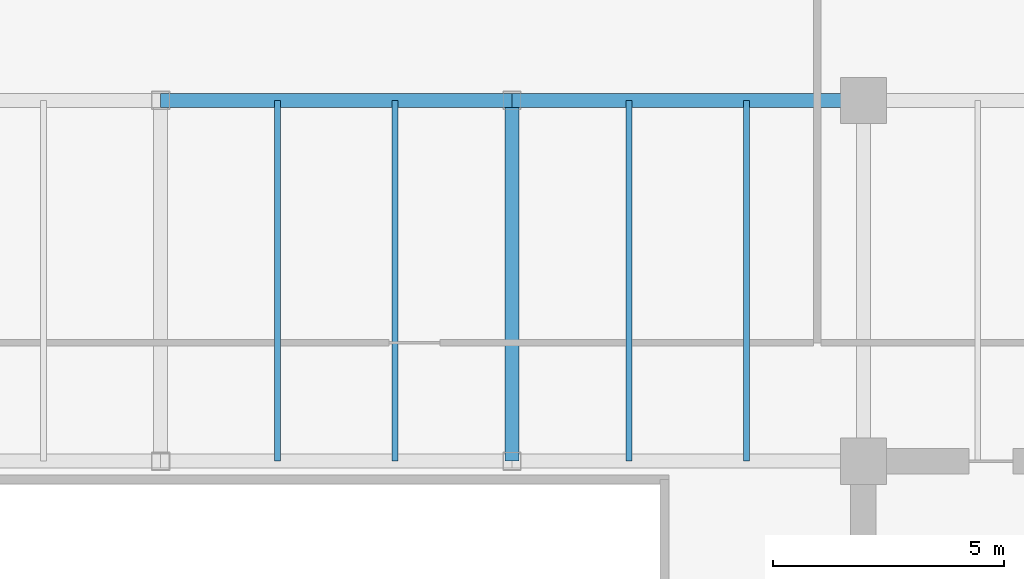
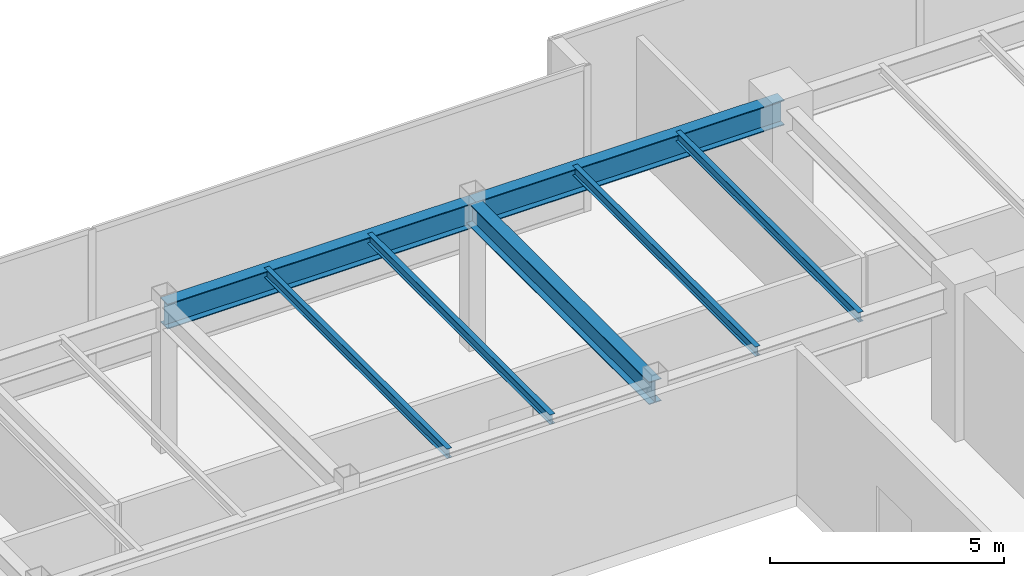
# One storey, part 18 of 33: 7 beams.
"""IFC4 building model written with IfcOpenShell, lengths in metres."""

from ifc_helpers import new_model, si_unit, direction, frame, origin, origin_2d, place, context, subcontext, project, spatial, i_section, extrude, source, transform, mapped, material, material_profile, profile_set, type_object, type_shapes, element, save


model = new_model("IFC4")

# Units and contexts
model_context = context("Model", 3, precision=1e-05, world=origin(), true_north=direction((0.0, 1.0)))
body_context = subcontext(model_context, "Body", "Model", "MODEL_VIEW")
ifc_project = project(units=[si_unit("LENGTHUNIT", "METRE"), si_unit("AREAUNIT", "SQUARE_METRE"), si_unit("VOLUMEUNIT", "CUBIC_METRE"), si_unit("PLANEANGLEUNIT", "RADIAN"), si_unit("MASSUNIT", "GRAM", prefix="KILO")], contexts=[model_context])

# Site, building, storey
site_placement = place(None, origin())
site = spatial("IfcSite", under=ifc_project, at=site_placement, CompositionType="ELEMENT")
building_placement = place(site_placement, origin())
building = spatial("IfcBuilding", under=site, at=building_placement, Name="Haelvirn Gate Laboratories", CompositionType="ELEMENT")
storey_placement = place(building_placement, frame((0.0, 0.0, 250.60009765625)))
storey = spatial("IfcBuildingStorey", under=building, at=storey_placement, Name="L60", CompositionType="ELEMENT", Elevation=250.60009765625)

# Beams
ifc_material = material(Name="Steel SM355", Category="steel")
ifc_material_profile_1 = material_profile(ifc_material, i_section(OverallWidth=0.300048828125, OverallDepth=0.587890625, WebThickness=0.011962890625, FlangeThickness=0.02001953125, at=origin_2d()), Name="H-588x300x12x20")
ifc_profile_set_1 = profile_set([ifc_material_profile_1], Name="Steel SM355")
beam_type_1 = type_object("IfcBeamType", Name="BM-G-588", PredefinedType="BEAM", material=ifc_profile_set_1)
shared_shape_1 = source(origin(), body_context, "Body", "SweptSolid", [
    extrude(i_section(OverallWidth=0.300048828125, OverallDepth=0.587890625, WebThickness=0.011962890625, FlangeThickness=0.02001953125, at=origin_2d()), origin(), (0.0, 0.0, 1.0), 7.800048828125),
])
type_shapes(beam_type_1, [shared_shape_1])
beam_placement = place(storey_placement, frame((45.0, 33.800048828125, 3.505859375), z_axis=(0.0, 1.0, 0.0), x_axis=(-1.0, 0.0, 0.0)))
element("IfcBeam", 1, at=beam_placement, inside=storey, type_object=beam_type_1, Name="L60 Frame Girder X45.0 (33.8-41.6)", PredefinedType="BEAM", context=body_context, shape_type="MappedRepresentation", body=[
    mapped(shared_shape_1, transform((0.0, 0.0, 0.0), scale=1.0)),
])
ifc_material_profile_2 = material_profile(ifc_material, i_section(OverallWidth=0.300048828125, OverallDepth=0.64990234375, WebThickness=0.012939453125, FlangeThickness=0.02197265625, at=origin_2d()), Name="H-650x300x13x22")
ifc_profile_set_2 = profile_set([ifc_material_profile_2], Name="Steel SM355")
beam_type_2 = type_object("IfcBeamType", Name="BM-G-650", PredefinedType="BEAM", material=ifc_profile_set_2)
shared_shape_2 = source(origin(), body_context, "Body", "SweptSolid", [
    extrude(i_section(OverallWidth=0.300048828125, OverallDepth=0.64990234375, WebThickness=0.012939453125, FlangeThickness=0.02197265625, at=origin_2d()), origin(), (0.0, 0.0, 1.0), 7.60009765625),
])
type_shapes(beam_type_2, [shared_shape_2])
for number, where, z_axis, x_axis, name in (
    (2, (37.39990234375, 41.60009765625, 3.474853515625), (1.0, 0.0, 0.0), (0.0, 1.0, 0.0), "L60 Primary Girder Y41.6 (37.4-45.0)"),
    (3, (45.0, 41.60009765625, 3.474853515625), (1.0, 0.0, 0.0), (0.0, 1.0, 0.0), "L60 Primary Girder Y41.6 (45.0-52.6)"),
):
    element("IfcBeam", number, at=place(storey_placement, frame(where, z_axis=z_axis, x_axis=x_axis)), inside=storey, type_object=beam_type_2, Name=name, PredefinedType="BEAM", context=body_context, shape_type="MappedRepresentation", body=[
        mapped(shared_shape_2, transform((0.0, 0.0, 0.0), scale=1.0)),
    ])
ifc_material_profile_3 = material_profile(ifc_material, i_section(OverallWidth=0.125, OverallDepth=0.25, WebThickness=0.006103515625, FlangeThickness=0.009033203125, at=origin_2d()), Name="H-250x125x6x9")
ifc_profile_set_3 = profile_set([ifc_material_profile_3], Name="Steel SM355")
beam_type_3 = type_object("IfcBeamType", Name="BM-J-250", PredefinedType="JOIST", material=ifc_profile_set_3)
shared_shape_3 = source(origin(), body_context, "Body", "SweptSolid", [
    extrude(i_section(OverallWidth=0.125, OverallDepth=0.25, WebThickness=0.006103515625, FlangeThickness=0.009033203125, at=origin_2d()), origin(), (0.0, 0.0, 1.0), 7.800048828125),
])
type_shapes(beam_type_3, [shared_shape_3])
for number, where, z_axis, x_axis, name in (
    (4, (39.929931640625, 33.800048828125, 3.6748046875), (0.0, 1.0, 0.0), (-1.0, 0.0, 0.0), "L60 Composite Lab Joist North X39.93"),
    (5, (42.469970703125, 33.800048828125, 3.6748046875), (0.0, 1.0, 0.0), (-1.0, 0.0, 0.0), "L60 Composite Lab Joist North X42.47"),
    (6, (47.530029296875, 33.800048828125, 3.6748046875), (0.0, 1.0, 0.0), (-1.0, 0.0, 0.0), "L60 Composite Lab Joist North X47.53"),
    (7, (50.070068359375, 33.800048828125, 3.6748046875), (0.0, 1.0, 0.0), (-1.0, 0.0, 0.0), "L60 Composite Lab Joist North X50.07"),
):
    element("IfcBeam", number, at=place(storey_placement, frame(where, z_axis=z_axis, x_axis=x_axis)), inside=storey, type_object=beam_type_3, Name=name, PredefinedType="JOIST", context=body_context, shape_type="MappedRepresentation", body=[
        mapped(shared_shape_3, transform((0.0, 0.0, 0.0), scale=1.0)),
    ])

save(model, "model.ifc")
